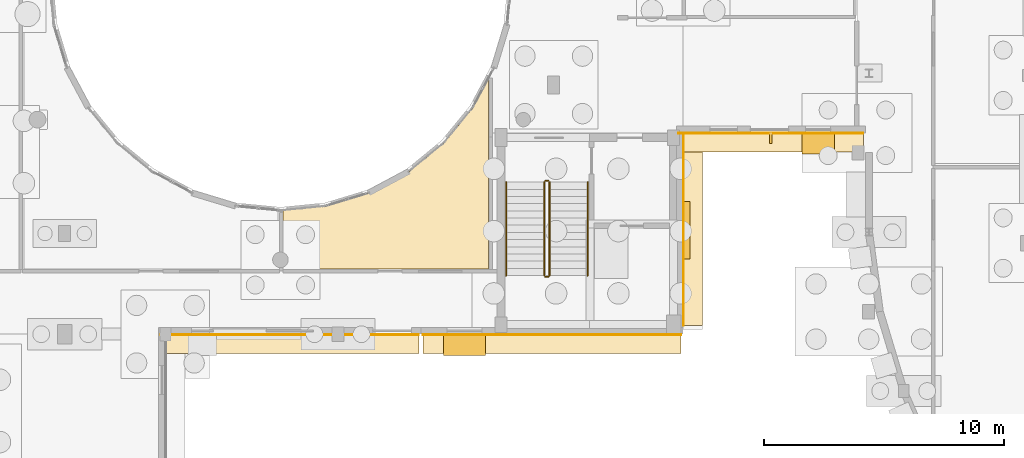
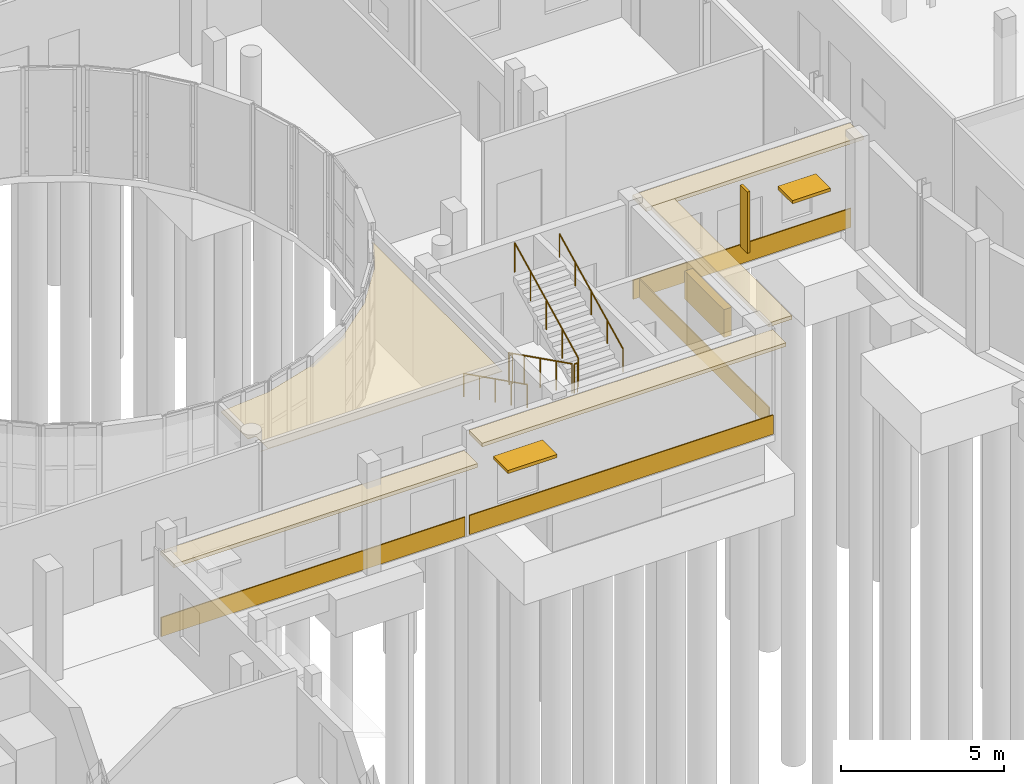
# One storey, part 84 of 93: 9 coverings, 6 railings, 4 shading devices.
"""IFC4 building model written with IfcOpenShell, lengths in metres."""

from ifc_helpers import new_model, si_unit, direction, frame, origin, origin_2d, place, context, subcontext, project, spatial, polyline, rectangle, circle, outline, extrude, material, layer, layer_set, type_object, element, save


model = new_model("IFC4")

# Units and contexts
model_context = context("Model", 3, precision=1e-05, world=origin(), true_north=direction((0.0, 1.0)))
body_context = subcontext(model_context, "Body", "Model", "MODEL_VIEW")
ifc_project = project(units=[si_unit("LENGTHUNIT", "METRE"), si_unit("AREAUNIT", "SQUARE_METRE"), si_unit("VOLUMEUNIT", "CUBIC_METRE"), si_unit("PLANEANGLEUNIT", "RADIAN"), si_unit("MASSUNIT", "GRAM", prefix="KILO")], contexts=[model_context])

# Site, building, storey
site_placement = place(None, origin())
site = spatial("IfcSite", under=ifc_project, at=site_placement, CompositionType="ELEMENT")
building_placement = place(site_placement, origin())
building = spatial("IfcBuilding", under=site, at=building_placement, Name="Kelanivale Promenade Academy", CompositionType="ELEMENT")
storey_placement = place(building_placement, origin())
storey = spatial("IfcBuildingStorey", under=building, at=storey_placement, Name="L00", CompositionType="ELEMENT", Elevation=0.0)

# Coverings
ifc_material_1 = material(Name="Warm ivory Art Deco stucco frieze band 40 mm", Category="masonry")
ifc_layer_1 = layer(ifc_material_1, 0.0400390625)
ifc_layer_set_1 = layer_set([ifc_layer_1], Name="Warm ivory Art Deco stucco frieze band 40 mm")
covering_type_1 = type_object("IfcCoveringType", Name="COV-CLD2 Warm ivory Art Deco stucco frieze ba", PredefinedType="CLADDING", material=ifc_layer_set_1)
covering_1_placement = place(storey_placement, frame((99.18994140625, 41.60009765625, 3.115234375), z_axis=(0.0, 0.0, 1.0), x_axis=(1.0, 0.0, 0.0)))
element("IfcCovering", 1, at=covering_1_placement, inside=storey, type_object=covering_type_1, Name="Art Deco projecting 820 mm streamline sunshade eyebrow ledge", PredefinedType="CLADDING", context=body_context, shape_type="SweptSolid", body=[
    extrude(rectangle(XDim=10.780029296875, YDim=0.820068359375, at=origin_2d()), origin(), (0.0, 0.0, 1.0), 0.139892578125),
])
covering_2_placement = place(storey_placement, frame((99.18994140625, 41.985107421875, 0.06005859375), z_axis=(0.0, 0.0, 1.0), x_axis=(1.0, 0.0, 0.0)))
element("IfcCovering", 2, at=covering_2_placement, inside=storey, type_object=covering_type_1, Name="Art Deco ivory stucco sill frieze band", PredefinedType="CLADDING", context=body_context, shape_type="SweptSolid", body=[
    extrude(rectangle(XDim=10.780029296875, YDim=0.0400390625, at=origin_2d()), origin(), (0.0, 0.0, 1.0), 0.719970703125),
])
covering_3_placement = place(storey_placement, frame((110.1298828125, 41.60009765625, 3.81982421875), z_axis=(0.0, 0.0, 1.0), x_axis=(1.0, 0.0, 0.0)))
element("IfcCovering", 3, at=covering_3_placement, inside=storey, type_object=covering_type_1, Name="Art Deco projecting 820 mm streamline sunshade eyebrow ledge", PredefinedType="CLADDING", context=body_context, shape_type="SweptSolid", body=[
    extrude(rectangle(XDim=10.780029296875, YDim=0.820068359375, at=origin_2d()), origin(), (0.0, 0.0, 1.0), 0.139892578125),
])
covering_4_placement = place(storey_placement, frame((110.1298828125, 41.985107421875, 0.06005859375), z_axis=(0.0, 0.0, 1.0), x_axis=(1.0, 0.0, 0.0)))
element("IfcCovering", 4, at=covering_4_placement, inside=storey, type_object=covering_type_1, Name="Art Deco ivory stucco sill frieze band", PredefinedType="CLADDING", context=body_context, shape_type="SweptSolid", body=[
    extrude(rectangle(XDim=10.780029296875, YDim=0.0400390625, at=origin_2d()), origin(), (0.0, 0.0, 1.0), 0.719970703125),
])
covering_5_placement = place(storey_placement, frame((116.0, 46.340087890625, 3.81982421875), z_axis=(0.0, 0.0, 1.0), x_axis=(0.0, 1.0, 0.0)))
element("IfcCovering", 5, at=covering_5_placement, inside=storey, type_object=covering_type_1, Name="Art Deco projecting 820 mm streamline sunshade eyebrow ledge", PredefinedType="CLADDING", context=body_context, shape_type="SweptSolid", body=[
    extrude(rectangle(XDim=7.9599609375, YDim=0.820068359375, at=origin_2d()), origin(), (0.0, 0.0, 1.0), 0.139892578125),
])
covering_6_placement = place(storey_placement, frame((115.614990234375, 46.340087890625, 0.06005859375), z_axis=(0.0, 0.0, 1.0), x_axis=(0.0, 1.0, 0.0)))
element("IfcCovering", 6, at=covering_6_placement, inside=storey, type_object=covering_type_1, Name="Art Deco ivory stucco sill frieze band", PredefinedType="CLADDING", context=body_context, shape_type="SweptSolid", body=[
    extrude(rectangle(XDim=7.9599609375, YDim=0.0400390625, at=origin_2d()), origin(), (0.0, 0.0, 1.0), 0.719970703125),
])
covering_7_placement = place(storey_placement, frame((119.260009765625, 50.0, 3.81982421875), z_axis=(0.0, 0.0, 1.0), x_axis=(1.0, 0.0, 0.0)))
element("IfcCovering", 7, at=covering_7_placement, inside=storey, type_object=covering_type_1, Name="Art Deco projecting 820 mm streamline sunshade eyebrow ledge", PredefinedType="CLADDING", context=body_context, shape_type="SweptSolid", body=[
    extrude(rectangle(XDim=7.719970703125, YDim=0.820068359375, at=origin_2d()), origin(), (0.0, 0.0, 1.0), 0.139892578125),
])
covering_8_placement = place(storey_placement, frame((119.260009765625, 50.385009765625, 0.06005859375), z_axis=(0.0, 0.0, 1.0), x_axis=(1.0, 0.0, 0.0)))
element("IfcCovering", 8, at=covering_8_placement, inside=storey, type_object=covering_type_1, Name="Art Deco ivory stucco sill frieze band", PredefinedType="CLADDING", context=body_context, shape_type="SweptSolid", body=[
    extrude(rectangle(XDim=7.719970703125, YDim=0.0400390625, at=origin_2d()), origin(), (0.0, 0.0, 1.0), 0.719970703125),
])
ifc_material_2 = material(Name="Acoustic mineral-fibre ceiling tile 25 mm", Category="gypsum")
ifc_layer_2 = layer(ifc_material_2, 0.02490234375)
ifc_layer_set_2 = layer_set([ifc_layer_2], Name="Acoustic mineral-fibre ceiling tile 25 mm")
covering_type_2 = type_object("IfcCoveringType", Name="COV-CLG1 Acoustic mineral-fibre ceiling tile ", PredefinedType="CEILING", material=ifc_layer_set_2)
covering_9_placement = place(storey_placement, frame((0.0, 0.0, 3.550048828125)))
element("IfcCovering", 9, at=covering_9_placement, inside=storey, type_object=covering_type_2, Name="Junior Classroom East A acoustic suspended ceiling", PredefinedType="CEILING", context=body_context, shape_type="SweptSolid", body=[
    extrude(outline(polyline([(100.700927734375, 47.340087890625), (100.69189453125, 47.337890625), (100.680908203125, 47.3359375), (100.679931640625, 47.3359375), (100.66796875, 47.333984375), (100.6630859375, 47.3330078125), (98.909912109375, 47.160888671875), (98.909912109375, 45.485107421875), (99.14501953125, 45.485107421875), (99.14892578125, 45.485107421875), (99.153076171875, 45.48388671875), (99.156982421875, 45.48291015625), (99.159912109375, 45.48193359375), (99.1640625, 45.47998046875), (99.1669921875, 45.47802734375), (99.169921875, 45.47607421875), (99.173095703125, 45.472900390625), (99.176025390625, 45.469970703125), (99.177978515625, 45.467041015625), (99.179931640625, 45.464111328125), (99.181884765625, 45.4599609375), (99.18310546875, 45.45703125), (99.18408203125, 45.452880859375), (99.18505859375, 45.448974609375), (99.18505859375, 45.445068359375), (99.18505859375, 44.7548828125), (99.18505859375, 44.7509765625), (99.18408203125, 44.7470703125), (99.18310546875, 44.742919921875), (99.181884765625, 44.739990234375), (99.179931640625, 44.736083984375), (99.177978515625, 44.73291015625), (99.176025390625, 44.72998046875), (99.173095703125, 44.72705078125), (99.169921875, 44.72412109375), (99.1669921875, 44.721923828125), (99.1640625, 44.719970703125), (99.159912109375, 44.718017578125), (99.156982421875, 44.717041015625), (99.153076171875, 44.716064453125), (99.14892578125, 44.715087890625), (99.14501953125, 44.715087890625), (98.909912109375, 44.715087890625), (98.909912109375, 44.7099609375), (107.489990234375, 44.7099609375), (107.489990234375, 52.68408203125), (106.833984375, 51.455078125), (106.83203125, 51.451904296875), (106.825927734375, 51.44189453125), (106.820068359375, 51.43408203125), (106.81298828125, 51.425048828125), (106.81201171875, 51.423095703125), (105.636962890625, 49.989990234375), (105.632080078125, 49.98388671875), (105.6240234375, 49.97607421875), (105.615966796875, 49.968017578125), (105.610107421875, 49.962890625), (104.177001953125, 48.7880859375), (104.175048828125, 48.787109375), (104.166015625, 48.780029296875), (104.157958984375, 48.77392578125), (104.14794921875, 48.76806640625), (104.14501953125, 48.76611328125), (102.510009765625, 47.89306640625), (102.508056640625, 47.89208984375), (102.498046875, 47.886962890625), (102.489013671875, 47.884033203125), (102.47802734375, 47.8798828125), (102.47412109375, 47.8779296875), (100.700927734375, 47.340087890625)])), origin(), (0.0, 0.0, 1.0), 0.02490234375),
])

# Railings
ifc_material_3 = material(Name="Brushed stainless steel grade 316", Category="steel")
railing_type_1 = type_object("IfcRailingType", Name="GR-01 Stair Guard 1100mm", PredefinedType="BALUSTRADE", material=ifc_material_3)
railing_1_placement = place(storey_placement, frame((109.804931640625, 48.344970703125, 0.14990234375)))
element("IfcRailing", 10, at=railing_1_placement, inside=storey, type_object=railing_type_1, Name="L00 ST-03 stair guard 1", PredefinedType="BALUSTRADE", context=body_context, shape_type="SweptSolid", body=[
    extrude(circle(Radius=0.02392578125, at=origin_2d()), frame((0.0, 0.0, 1.09619140625), z_axis=(0.0, -0.894404793364, 0.447258387967), x_axis=(1.0, 0.0, 0.0)), (0.0, 0.0, 1.0), 4.3603515625),
    extrude(circle(Radius=0.02099609375, at=origin_2d()), origin(), (0.0, 0.0, 1.0), 1.072021484375),
    extrude(circle(Radius=0.02099609375, at=origin_2d()), frame((0.0, -0.97509765625, 0.487548828125)), (0.0, 0.0, 1.0), 1.072021484375),
    extrude(circle(Radius=0.02099609375, at=origin_2d()), frame((0.0, -1.949951171875, 0.97509765625)), (0.0, 0.0, 1.0), 1.072021484375),
    extrude(circle(Radius=0.02099609375, at=origin_2d()), frame((0.0, -2.9248046875, 1.462646484375)), (0.0, 0.0, 1.0), 1.072021484375),
    extrude(circle(Radius=0.02099609375, at=origin_2d()), frame((0.0, -3.89990234375, 1.9501953125)), (0.0, 0.0, 1.0), 1.072021484375),
])
railing_2_placement = place(storey_placement, frame((109.85498046875, 44.39501953125, 2.10009765625)))
element("IfcRailing", 11, at=railing_2_placement, inside=storey, type_object=railing_type_1, Name="L00 ST-03 stair guard 2", PredefinedType="BALUSTRADE", context=body_context, shape_type="SweptSolid", body=[
    extrude(circle(Radius=0.02392578125, at=origin_2d()), frame((0.0, 0.0, 1.09619140625), z_axis=(1.0, 0.0, 0.0), x_axis=(0.0, 1.0, 0.0)), (0.0, 0.0, 1.0), 0.1201171875),
    extrude(circle(Radius=0.02099609375, at=origin_2d()), origin(), (0.0, 0.0, 1.0), 1.072021484375),
    extrude(circle(Radius=0.02099609375, at=origin_2d()), frame((0.1201171875, 0.0, 0.0)), (0.0, 0.0, 1.0), 1.072021484375),
])
railing_3_placement = place(storey_placement, frame((110.02490234375, 44.445068359375, 2.25)))
element("IfcRailing", 12, at=railing_3_placement, inside=storey, type_object=railing_type_1, Name="L00 ST-03 stair guard 3", PredefinedType="BALUSTRADE", context=body_context, shape_type="SweptSolid", body=[
    extrude(circle(Radius=0.02392578125, at=origin_2d()), frame((0.0, 0.0, 1.09619140625), z_axis=(0.0, 0.894427191, 0.4472135955), x_axis=(-1.0, 0.0, 0.0)), (0.0, 0.0, 1.0), 4.360107421875),
    extrude(circle(Radius=0.02099609375, at=origin_2d()), origin(), (0.0, 0.0, 1.0), 1.072021484375),
    extrude(circle(Radius=0.02099609375, at=origin_2d()), frame((0.0, 0.97509765625, 0.487548828125)), (0.0, 0.0, 1.0), 1.072021484375),
    extrude(circle(Radius=0.02099609375, at=origin_2d()), frame((0.0, 1.949951171875, 0.97509765625)), (0.0, 0.0, 1.0), 1.072021484375),
    extrude(circle(Radius=0.02099609375, at=origin_2d()), frame((0.0, 2.9248046875, 1.46240234375)), (0.0, 0.0, 1.0), 1.072021484375),
    extrude(circle(Radius=0.02099609375, at=origin_2d()), frame((0.0, 3.89990234375, 1.949951171875)), (0.0, 0.0, 1.0), 1.072021484375),
])
railing_4_placement = place(storey_placement, frame((109.85498046875, 48.39501953125, 0.0)))
element("IfcRailing", 13, at=railing_4_placement, inside=storey, type_object=railing_type_1, Name="L00 ST-03 stair guard 4", PredefinedType="BALUSTRADE", context=body_context, shape_type="SweptSolid", body=[
    extrude(circle(Radius=0.02392578125, at=origin_2d()), frame((0.0, 0.0, 1.09619140625), z_axis=(1.0, 0.0, 0.0), x_axis=(0.0, 1.0, 0.0)), (0.0, 0.0, 1.0), 0.1201171875),
    extrude(circle(Radius=0.02099609375, at=origin_2d()), origin(), (0.0, 0.0, 1.0), 1.072021484375),
    extrude(circle(Radius=0.02099609375, at=origin_2d()), frame((0.1201171875, 0.0, 0.0)), (0.0, 0.0, 1.0), 1.072021484375),
])
railing_type_2 = type_object("IfcRailingType", Name="HR-01 Pitch Handrail 900mm", PredefinedType="HANDRAIL", material=ifc_material_3)
railing_5_placement = place(storey_placement, frame((108.215087890625, 48.344970703125, 0.14990234375)))
element("IfcRailing", 14, at=railing_5_placement, inside=storey, type_object=railing_type_2, Name="L00 ST-03 stair handrail 1", PredefinedType="HANDRAIL", context=body_context, shape_type="SweptSolid", body=[
    extrude(circle(Radius=0.02392578125, at=origin_2d()), frame((0.0, 0.0, 0.8759765625), z_axis=(0.0, -0.894404793364, 0.447258387967), x_axis=(1.0, 0.0, 0.0)), (0.0, 0.0, 1.0), 4.3603515625),
    extrude(circle(Radius=0.02099609375, at=origin_2d()), origin(), (0.0, 0.0, 1.0), 0.851806640625),
    extrude(circle(Radius=0.02099609375, at=origin_2d()), frame((0.0, -0.97509765625, 0.487548828125)), (0.0, 0.0, 1.0), 0.851806640625),
    extrude(circle(Radius=0.02099609375, at=origin_2d()), frame((0.0, -1.949951171875, 0.97509765625)), (0.0, 0.0, 1.0), 0.851806640625),
    extrude(circle(Radius=0.02099609375, at=origin_2d()), frame((0.0, -2.9248046875, 1.462646484375)), (0.0, 0.0, 1.0), 0.851806640625),
    extrude(circle(Radius=0.02099609375, at=origin_2d()), frame((0.0, -3.89990234375, 1.9501953125)), (0.0, 0.0, 1.0), 0.851806640625),
])
railing_6_placement = place(storey_placement, frame((111.614990234375, 44.445068359375, 2.25)))
element("IfcRailing", 15, at=railing_6_placement, inside=storey, type_object=railing_type_2, Name="L00 ST-03 stair handrail 2", PredefinedType="HANDRAIL", context=body_context, shape_type="SweptSolid", body=[
    extrude(circle(Radius=0.02392578125, at=origin_2d()), frame((0.0, 0.0, 0.8759765625), z_axis=(0.0, 0.894427191, 0.4472135955), x_axis=(-1.0, 0.0, 0.0)), (0.0, 0.0, 1.0), 4.360107421875),
    extrude(circle(Radius=0.02099609375, at=origin_2d()), origin(), (0.0, 0.0, 1.0), 0.851806640625),
    extrude(circle(Radius=0.02099609375, at=origin_2d()), frame((0.0, 0.97509765625, 0.487548828125)), (0.0, 0.0, 1.0), 0.851806640625),
    extrude(circle(Radius=0.02099609375, at=origin_2d()), frame((0.0, 1.949951171875, 0.97509765625)), (0.0, 0.0, 1.0), 0.851806640625),
    extrude(circle(Radius=0.02099609375, at=origin_2d()), frame((0.0, 2.9248046875, 1.46240234375)), (0.0, 0.0, 1.0), 0.851806640625),
    extrude(circle(Radius=0.02099609375, at=origin_2d()), frame((0.0, 3.89990234375, 1.949951171875)), (0.0, 0.0, 1.0), 0.851806640625),
])

# Shading devices
ifc_material_4 = material(Name="Precast concrete C40/50", Category="concrete")
ifc_layer_3 = layer(ifc_material_4, 0.1201171875)
ifc_layer_set_3 = layer_set([ifc_layer_3], Name="Precast concrete C40/50")
shading_device_type_1 = type_object("IfcShadingDeviceType", Name="SHD-01 Art Deco Sunshade Eyebrow 900mm", PredefinedType="USERDEFINED", material=ifc_layer_set_3)
shading_device_1_placement = place(storey_placement, frame((106.48291015625, 41.56005859375, 2.56005859375), z_axis=(0.0, 0.0, 1.0), x_axis=(1.0, 0.0, 0.0)))
element("IfcShadingDevice", 16, at=shading_device_1_placement, inside=storey, type_object=shading_device_type_1, Name="Art Deco 900 mm precast chajja window sunshade", ObjectType="SUNSHADE", PredefinedType="USERDEFINED", context=body_context, shape_type="SweptSolid", body=[
    extrude(rectangle(XDim=1.75, YDim=0.89990234375, at=origin_2d()), origin(), (0.0, 0.0, 1.0), 0.1201171875),
])
shading_device_2_placement = place(storey_placement, frame((121.22998046875, 49.9599609375, 2.35986328125), z_axis=(0.0, 0.0, 1.0), x_axis=(1.0, 0.0, 0.0)))
element("IfcShadingDevice", 17, at=shading_device_2_placement, inside=storey, type_object=shading_device_type_1, Name="Art Deco 900 mm precast chajja window sunshade", ObjectType="SUNSHADE", PredefinedType="USERDEFINED", context=body_context, shape_type="SweptSolid", body=[
    extrude(rectangle(XDim=1.35009765625, YDim=0.89990234375, at=origin_2d()), origin(), (0.0, 0.0, 1.0), 0.1201171875),
])
ifc_material_5 = material(Name="Bronze anodised aluminium EN AW-6063 T6", Category="aluminium")
ifc_layer_4 = layer(ifc_material_5, 0.080078125)
ifc_layer_set_4 = layer_set([ifc_layer_4], Name="Bronze anodised aluminium EN AW-6063 T6")
shading_device_type_2 = type_object("IfcShadingDeviceType", Name="SHD-02 Perforated Brise-Soleil Screen", PredefinedType="JALOUSIE", material=ifc_layer_set_4)
shading_device_3_placement = place(storey_placement, frame((115.735107421875, 46.340087890625, 1.72509765625), z_axis=(0.0, 0.0, 1.0), x_axis=(0.0, 1.0, 0.0)))
element("IfcShadingDevice", 18, at=shading_device_3_placement, inside=storey, type_object=shading_device_type_2, Name="Perforated Art Deco brise-soleil louvre screen", PredefinedType="JALOUSIE", context=body_context, shape_type="SweptSolid", body=[
    extrude(rectangle(XDim=2.39990234375, YDim=0.280029296875, at=origin_2d()), origin(), (0.0, 0.0, 1.0), 1.050048828125),
])
ifc_layer_5 = layer(ifc_material_5, 0.10009765625)
ifc_layer_set_5 = layer_set([ifc_layer_5], Name="Bronze anodised aluminium EN AW-6063 T6")
shading_device_type_3 = type_object("IfcShadingDeviceType", Name="SHD-03 Vertical Fluted Solar Fin", PredefinedType="USERDEFINED", material=ifc_layer_set_5)
shading_device_4_placement = place(storey_placement, frame((119.260009765625, 50.179931640625, 0.7001953125), z_axis=(0.0, 0.0, 1.0), x_axis=(1.0, 0.0, 0.0)))
element("IfcShadingDevice", 19, at=shading_device_4_placement, inside=storey, type_object=shading_device_type_3, Name="Vertical fluted Art Deco solar fin", ObjectType="SOLAR FIN", PredefinedType="USERDEFINED", context=body_context, shape_type="SweptSolid", body=[
    extrude(rectangle(XDim=0.10009765625, YDim=0.449951171875, at=origin_2d()), origin(), (0.0, 0.0, 1.0), 2.300048828125),
])

save(model, "model.ifc")
